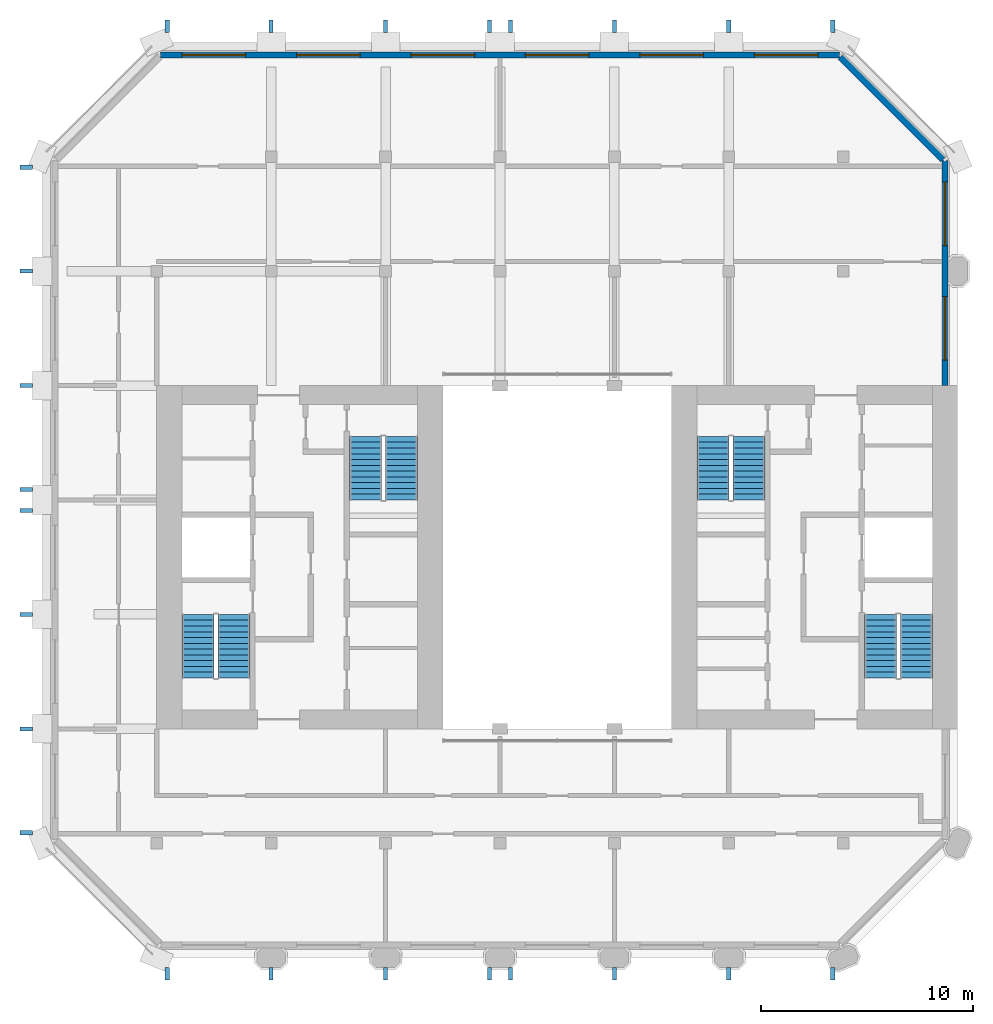
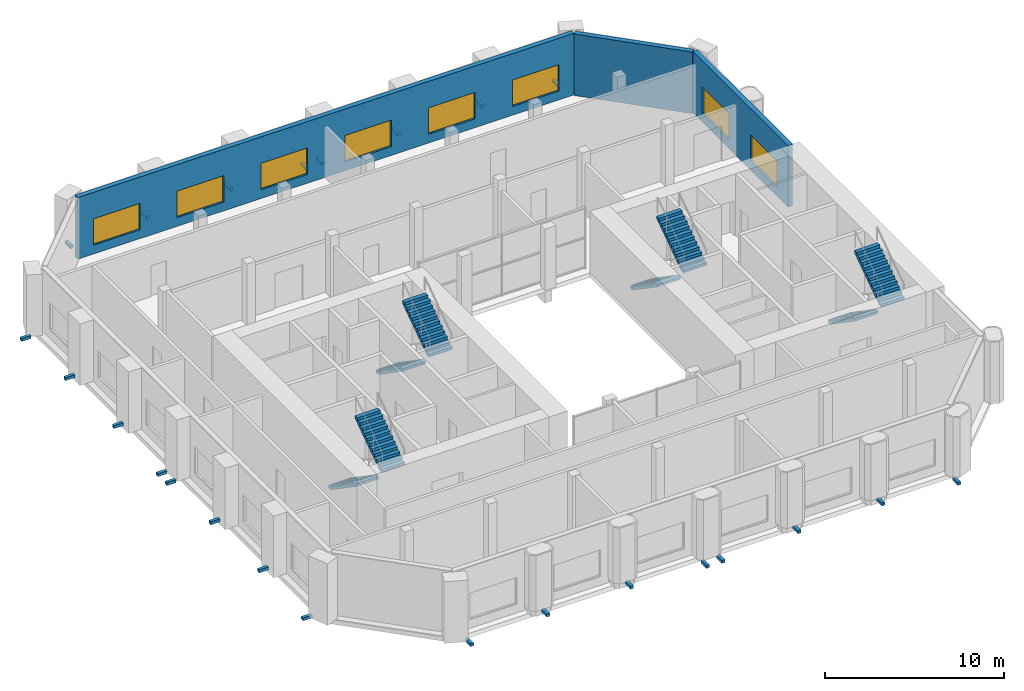
# One storey, part 9 of 11: 24 discrete accessories, 8 stair flights, 8 windows, 3 walls, 8 openings, 4 elements without a shape of their own.
"""IFC4 building model written with IfcOpenShell, lengths in metres."""

from ifc_helpers import new_model, si_unit, direction, frame, frame_2d, origin, origin_2d, place, context, subcontext, project, spatial, polyline, rectangle, outline, extrude, material, layer, layer_set, type_object, element, fill, aggregate, save


model = new_model("IFC4")

# Units and contexts
model_context = context("Model", 3, precision=1e-05, world=origin(), true_north=direction((0.0, 1.0)))
body_context = subcontext(model_context, "Body", "Model", "MODEL_VIEW")
ifc_project = project(units=[si_unit("LENGTHUNIT", "METRE"), si_unit("AREAUNIT", "SQUARE_METRE"), si_unit("VOLUMEUNIT", "CUBIC_METRE"), si_unit("PLANEANGLEUNIT", "RADIAN"), si_unit("MASSUNIT", "GRAM", prefix="KILO")], contexts=[model_context])

# Site, building, storey
site_placement = place(None, origin())
site = spatial("IfcSite", under=ifc_project, at=site_placement, CompositionType="ELEMENT")
building_placement = place(site_placement, origin())
building = spatial("IfcBuilding", under=site, at=building_placement, Name="Tabaq Tower and Sports Hall", CompositionType="ELEMENT")
storey_placement = place(building_placement, frame((0.0, 0.0, 312.699951171875)))
storey = spatial("IfcBuildingStorey", under=building, at=storey_placement, Name="L78", CompositionType="ELEMENT", Elevation=312.699951171875)

# Wall, openings, windows
ifc_material_1 = material(Name="White precast concrete C60/75", Category="concrete")
ifc_layer = layer(ifc_material_1, 0.300048828125)
ifc_layer_set = layer_set([ifc_layer], Name="White precast concrete C60/75 external wall 300")
wall_type = type_object("IfcWallType", Name="White precast concrete C60/75 external wall 300", PredefinedType="SOLIDWALL", material=ifc_layer_set)
wall_1_placement = place(storey_placement, frame((42.60009765625, 32.39990234375, 0.0), z_axis=(0.0, 0.0, 1.0), x_axis=(0.0, 1.0, 0.0)))
wall_1 = element("IfcWall", 1, at=wall_1_placement, inside=storey, type_object=wall_type, Name="External Wall L78 E", PredefinedType="SOLIDWALL", context=body_context, shape_type="SweptSolid", body=[
    extrude(outline(polyline([(0.0, 0.0), (10.61376953125, 0.0), (10.613525390625, 4.199951171875), (10.02392578125, 4.199951171875), (9.434326171875, 4.199951171875), (8.8447265625, 4.199951171875), (8.255126953125, 4.199951171875), (7.665283203125, 4.199951171875), (7.07568359375, 4.199951171875), (6.486083984375, 4.199951171875), (5.896484375, 4.199951171875), (5.306884765625, 4.199951171875), (4.717041015625, 4.199951171875), (4.12744140625, 4.199951171875), (3.537841796875, 4.199951171875), (2.9482421875, 4.199951171875), (2.358642578125, 4.199951171875), (1.76904296875, 4.199951171875), (1.17919921875, 4.199951171875), (0.589599609375, 4.199951171875), (0.0, 4.199951171875), (0.0, 0.0)])), frame((0.0, 0.14990234375, 0.0), z_axis=(0.0, -1.0, 0.0), x_axis=(1.0, 0.0, 0.0)), (0.0, 0.0, 1.0), 0.300048828125),
])
opening_1_placement = place(wall_1_placement, frame((1.199951171875, 0.0, 0.60009765625)))
opening_1 = element("IfcOpeningElement", 2, at=opening_1_placement, cuts=wall_1, Name="Opening LV1", PredefinedType="OPENING", context=body_context, shape_type="SweptSolid", body=[
    extrude(rectangle(XDim=3.0, YDim=1.800048828125, at=frame_2d((1.5, 0.89990234375))), frame((0.0, 0.16015625, 0.0), z_axis=(0.0, -1.0, 0.0), x_axis=(1.0, 0.0, 0.0)), (0.0, 0.0, 1.0), 0.320068359375),
])
opening_2_placement = place(wall_1_placement, frame((6.60009765625, 0.0, 0.60009765625)))
opening_2 = element("IfcOpeningElement", 3, at=opening_2_placement, cuts=wall_1, Name="Opening LV1", PredefinedType="OPENING", context=body_context, shape_type="SweptSolid", body=[
    extrude(rectangle(XDim=3.0, YDim=1.800048828125, at=frame_2d((1.5, 0.89990234375))), frame((0.0, 0.16015625, 0.0), z_axis=(0.0, -1.0, 0.0), x_axis=(1.0, 0.0, 0.0)), (0.0, 0.0, 1.0), 0.320068359375),
])
ifc_material_2 = material(Name="Aluminium alloy 6063-T6 louvre blades", Category="aluminium")
window_type = type_object("IfcWindowType", Name="Plant louvre LV1", PartitioningType="SINGLE_PANEL", PredefinedType="WINDOW", material=ifc_material_2)
window_1_placement = place(opening_1_placement, origin())
window_1 = element("IfcWindow", 4, at=window_1_placement, inside=storey, type_object=window_type, Name="Plant louvre L78", OverallHeight=1.800048828125, OverallWidth=3.0, PartitioningType="SINGLE_PANEL", PredefinedType="WINDOW", context=body_context, shape_type="SweptSolid", body=[
    extrude(rectangle(XDim=3.0, YDim=1.800048828125, at=frame_2d((1.5, 0.89990234375))), frame((0.0, 0.030029296875, 0.0), z_axis=(0.0, -1.0, 0.0), x_axis=(1.0, 0.0, 0.0)), (0.0, 0.0, 1.0), 0.06005859375),
])
fill(opening_1, window_1)
window_2_placement = place(opening_2_placement, origin())
window_2 = element("IfcWindow", 5, at=window_2_placement, inside=storey, type_object=window_type, Name="Plant louvre L78", OverallHeight=1.800048828125, OverallWidth=3.0, PartitioningType="SINGLE_PANEL", PredefinedType="WINDOW", context=body_context, shape_type="SweptSolid", body=[
    extrude(rectangle(XDim=3.0, YDim=1.800048828125, at=frame_2d((1.5, 0.89990234375))), frame((0.0, 0.030029296875, 0.0), z_axis=(0.0, -1.0, 0.0), x_axis=(1.0, 0.0, 0.0)), (0.0, 0.0, 1.0), 0.06005859375),
])
fill(opening_2, window_2)

# Wall
wall_2_placement = place(storey_placement, frame((42.5009765625, 43.050537109375, 0.0), z_axis=(0.0, 0.0, 1.0), x_axis=(-0.707106781187, 0.707106781187, 0.0)))
element("IfcWall", 6, at=wall_2_placement, inside=storey, type_object=wall_type, Name="External Wall L78 NE", PredefinedType="SOLIDWALL", context=body_context, shape_type="SweptSolid", body=[
    extrude(outline(polyline([(0.0, 0.0), (6.85986328125, 0.0), (6.859619140625, 4.199951171875), (6.2880859375, 4.199951171875), (5.71630859375, 4.199951171875), (5.144775390625, 4.199951171875), (4.5732421875, 4.199951171875), (4.00146484375, 4.199951171875), (3.429931640625, 4.199951171875), (2.858154296875, 4.199951171875), (2.28662109375, 4.199951171875), (1.71484375, 4.199951171875), (1.143310546875, 4.199951171875), (0.571533203125, 4.199951171875), (0.0, 4.199951171875), (0.0, 0.0)])), frame((0.0, 0.14990234375, 0.0), z_axis=(0.0, -1.0, 0.0), x_axis=(1.0, 0.0, 0.0)), (0.0, 0.0, 1.0), 0.300048828125),
])

# Wall, openings, windows
wall_3_placement = place(storey_placement, frame((37.613525390625, 48.0, 0.0), z_axis=(0.0, 0.0, 1.0), x_axis=(-1.0, 0.0, 0.0)))
wall_3 = element("IfcWall", 7, at=wall_3_placement, inside=storey, type_object=wall_type, Name="External Wall L78 N", PredefinedType="SOLIDWALL", context=body_context, shape_type="SweptSolid", body=[
    extrude(outline(polyline([(0.0, 0.0), (32.027099609375, 0.0), (32.027099609375, 4.199951171875), (31.43408203125, 4.199951171875), (30.841064453125, 4.199951171875), (30.247802734375, 4.199951171875), (29.65478515625, 4.199951171875), (29.061767578125, 4.199951171875), (28.46875, 4.199951171875), (27.87548828125, 4.199951171875), (27.282470703125, 4.199951171875), (26.689453125, 4.199951171875), (26.09619140625, 4.199951171875), (25.503173828125, 4.199951171875), (24.91015625, 4.199951171875), (24.31689453125, 4.199951171875), (23.723876953125, 4.199951171875), (23.130859375, 4.199951171875), (22.53759765625, 4.199951171875), (21.944580078125, 4.199951171875), (21.3515625, 4.199951171875), (20.75830078125, 4.199951171875), (20.165283203125, 4.199951171875), (19.572265625, 4.199951171875), (18.97900390625, 4.199951171875), (18.385986328125, 4.199951171875), (17.79296875, 4.199951171875), (17.19970703125, 4.199951171875), (16.606689453125, 4.199951171875), (16.013671875, 4.199951171875), (15.42041015625, 4.199951171875), (14.827392578125, 4.199951171875), (14.234375, 4.199951171875), (13.64111328125, 4.199951171875), (13.048095703125, 4.199951171875), (12.455078125, 4.199951171875), (11.86181640625, 4.199951171875), (11.268798828125, 4.199951171875), (10.67578125, 4.199951171875), (10.08251953125, 4.199951171875), (9.489501953125, 4.199951171875), (8.896484375, 4.199951171875), (8.303466796875, 4.199951171875), (7.710205078125, 4.199951171875), (7.1171875, 4.199951171875), (6.524169921875, 4.199951171875), (5.930908203125, 4.199951171875), (5.337890625, 4.199951171875), (4.744873046875, 4.199951171875), (4.151611328125, 4.199951171875), (3.55859375, 4.199951171875), (2.965576171875, 4.199951171875), (2.372314453125, 4.199951171875), (1.779296875, 4.199951171875), (1.186279296875, 4.199951171875), (0.593017578125, 4.199951171875), (0.0, 4.199951171875), (0.0, 0.0)])), frame((0.0, 0.14990234375, 0.0), z_axis=(0.0, -1.0, 0.0), x_axis=(1.0, 0.0, 0.0)), (0.0, 0.0, 1.0), 0.300048828125),
])
opening_3_placement = place(wall_3_placement, frame((1.013671875, 0.0, 0.60009765625)))
opening_3 = element("IfcOpeningElement", 8, at=opening_3_placement, cuts=wall_3, Name="Opening LV1", PredefinedType="OPENING", context=body_context, shape_type="SweptSolid", body=[
    extrude(rectangle(XDim=3.0, YDim=1.800048828125, at=frame_2d((1.5, 0.89990234375))), frame((0.0, 0.16015625, 0.0), z_axis=(0.0, -1.0, 0.0), x_axis=(1.0, 0.0, 0.0)), (0.0, 0.0, 1.0), 0.320068359375),
])
opening_4_placement = place(wall_3_placement, frame((6.41357421875, 0.0, 0.60009765625)))
opening_4 = element("IfcOpeningElement", 9, at=opening_4_placement, cuts=wall_3, Name="Opening LV1", PredefinedType="OPENING", context=body_context, shape_type="SweptSolid", body=[
    extrude(rectangle(XDim=3.0, YDim=1.800048828125, at=frame_2d((1.5, 0.89990234375))), frame((0.0, 0.16015625, 0.0), z_axis=(0.0, -1.0, 0.0), x_axis=(1.0, 0.0, 0.0)), (0.0, 0.0, 1.0), 0.320068359375),
])
opening_5_placement = place(wall_3_placement, frame((11.813720703125, 0.0, 0.60009765625)))
opening_5 = element("IfcOpeningElement", 10, at=opening_5_placement, cuts=wall_3, Name="Opening LV1", PredefinedType="OPENING", context=body_context, shape_type="SweptSolid", body=[
    extrude(rectangle(XDim=3.0, YDim=1.800048828125, at=frame_2d((1.5, 0.89990234375))), frame((0.0, 0.16015625, 0.0), z_axis=(0.0, -1.0, 0.0), x_axis=(1.0, 0.0, 0.0)), (0.0, 0.0, 1.0), 0.320068359375),
])
opening_6_placement = place(wall_3_placement, frame((17.213623046875, 0.0, 0.60009765625)))
opening_6 = element("IfcOpeningElement", 11, at=opening_6_placement, cuts=wall_3, Name="Opening LV1", PredefinedType="OPENING", context=body_context, shape_type="SweptSolid", body=[
    extrude(rectangle(XDim=3.0, YDim=1.800048828125, at=frame_2d((1.5, 0.89990234375))), frame((0.0, 0.16015625, 0.0), z_axis=(0.0, -1.0, 0.0), x_axis=(1.0, 0.0, 0.0)), (0.0, 0.0, 1.0), 0.320068359375),
])
opening_7_placement = place(wall_3_placement, frame((22.613525390625, 0.0, 0.60009765625)))
opening_7 = element("IfcOpeningElement", 12, at=opening_7_placement, cuts=wall_3, Name="Opening LV1", PredefinedType="OPENING", context=body_context, shape_type="SweptSolid", body=[
    extrude(rectangle(XDim=3.0, YDim=1.800048828125, at=frame_2d((1.5, 0.89990234375))), frame((0.0, 0.16015625, 0.0), z_axis=(0.0, -1.0, 0.0), x_axis=(1.0, 0.0, 0.0)), (0.0, 0.0, 1.0), 0.320068359375),
])
opening_8_placement = place(wall_3_placement, frame((28.013671875, 0.0, 0.60009765625)))
opening_8 = element("IfcOpeningElement", 13, at=opening_8_placement, cuts=wall_3, Name="Opening LV1", PredefinedType="OPENING", context=body_context, shape_type="SweptSolid", body=[
    extrude(rectangle(XDim=3.0, YDim=1.800048828125, at=frame_2d((1.5, 0.89990234375))), frame((0.0, 0.16015625, 0.0), z_axis=(0.0, -1.0, 0.0), x_axis=(1.0, 0.0, 0.0)), (0.0, 0.0, 1.0), 0.320068359375),
])
window_3_placement = place(opening_3_placement, origin())
window_3 = element("IfcWindow", 14, at=window_3_placement, inside=storey, type_object=window_type, Name="Plant louvre L78", OverallHeight=1.800048828125, OverallWidth=3.0, PartitioningType="SINGLE_PANEL", PredefinedType="WINDOW", context=body_context, shape_type="SweptSolid", body=[
    extrude(rectangle(XDim=3.0, YDim=1.800048828125, at=frame_2d((1.5, 0.89990234375))), frame((0.0, 0.030029296875, 0.0), z_axis=(0.0, -1.0, 0.0), x_axis=(1.0, 0.0, 0.0)), (0.0, 0.0, 1.0), 0.06005859375),
])
fill(opening_3, window_3)
window_4_placement = place(opening_4_placement, origin())
window_4 = element("IfcWindow", 15, at=window_4_placement, inside=storey, type_object=window_type, Name="Plant louvre L78", OverallHeight=1.800048828125, OverallWidth=3.0, PartitioningType="SINGLE_PANEL", PredefinedType="WINDOW", context=body_context, shape_type="SweptSolid", body=[
    extrude(rectangle(XDim=3.0, YDim=1.800048828125, at=frame_2d((1.5, 0.89990234375))), frame((0.0, 0.030029296875, 0.0), z_axis=(0.0, -1.0, 0.0), x_axis=(1.0, 0.0, 0.0)), (0.0, 0.0, 1.0), 0.06005859375),
])
fill(opening_4, window_4)
window_5_placement = place(opening_5_placement, origin())
window_5 = element("IfcWindow", 16, at=window_5_placement, inside=storey, type_object=window_type, Name="Plant louvre L78", OverallHeight=1.800048828125, OverallWidth=3.0, PartitioningType="SINGLE_PANEL", PredefinedType="WINDOW", context=body_context, shape_type="SweptSolid", body=[
    extrude(rectangle(XDim=3.0, YDim=1.800048828125, at=frame_2d((1.5, 0.89990234375))), frame((0.0, 0.030029296875, 0.0), z_axis=(0.0, -1.0, 0.0), x_axis=(1.0, 0.0, 0.0)), (0.0, 0.0, 1.0), 0.06005859375),
])
fill(opening_5, window_5)
window_6_placement = place(opening_6_placement, origin())
window_6 = element("IfcWindow", 17, at=window_6_placement, inside=storey, type_object=window_type, Name="Plant louvre L78", OverallHeight=1.800048828125, OverallWidth=3.0, PartitioningType="SINGLE_PANEL", PredefinedType="WINDOW", context=body_context, shape_type="SweptSolid", body=[
    extrude(rectangle(XDim=3.0, YDim=1.800048828125, at=frame_2d((1.5, 0.89990234375))), frame((0.0, 0.030029296875, 0.0), z_axis=(0.0, -1.0, 0.0), x_axis=(1.0, 0.0, 0.0)), (0.0, 0.0, 1.0), 0.06005859375),
])
fill(opening_6, window_6)
window_7_placement = place(opening_7_placement, origin())
window_7 = element("IfcWindow", 18, at=window_7_placement, inside=storey, type_object=window_type, Name="Plant louvre L78", OverallHeight=1.800048828125, OverallWidth=3.0, PartitioningType="SINGLE_PANEL", PredefinedType="WINDOW", context=body_context, shape_type="SweptSolid", body=[
    extrude(rectangle(XDim=3.0, YDim=1.800048828125, at=frame_2d((1.5, 0.89990234375))), frame((0.0, 0.030029296875, 0.0), z_axis=(0.0, -1.0, 0.0), x_axis=(1.0, 0.0, 0.0)), (0.0, 0.0, 1.0), 0.06005859375),
])
fill(opening_7, window_7)
window_8_placement = place(opening_8_placement, origin())
window_8 = element("IfcWindow", 19, at=window_8_placement, inside=storey, type_object=window_type, Name="Plant louvre L78", OverallHeight=1.800048828125, OverallWidth=3.0, PartitioningType="SINGLE_PANEL", PredefinedType="WINDOW", context=body_context, shape_type="SweptSolid", body=[
    extrude(rectangle(XDim=3.0, YDim=1.800048828125, at=frame_2d((1.5, 0.89990234375))), frame((0.0, 0.030029296875, 0.0), z_axis=(0.0, -1.0, 0.0), x_axis=(1.0, 0.0, 0.0)), (0.0, 0.0, 1.0), 0.06005859375),
])
fill(opening_8, window_8)

# Stair, stair flights
ifc_material_3 = material(Name="Concrete C40/50", Category="concrete")
stair_type = type_object("IfcStairType", Name="Exit stair", PredefinedType="HALF_TURN_STAIR", material=ifc_material_3)
stair_1_placement = place(storey_placement, origin())
stair_1 = element("IfcStair", 20, at=stair_1_placement, inside=storey, type_object=stair_type, Name="L78 Exit stair ST1", PredefinedType="HALF_TURN_STAIR")
ifc_material_4 = material(Name="Concrete C40/50", Category="concrete")
stair_flight_type = type_object("IfcStairFlightType", Name="Exit stair flight", PredefinedType="STRAIGHT", material=ifc_material_4)
stair_flight_1_placement = place(storey_placement, frame((7.35009765625, 21.60009765625, 0.0), z_axis=(0.0, 0.0, 1.0), x_axis=(0.0, -1.0, 0.0)))
stair_flight_1 = element("IfcStairFlight", 21, at=stair_flight_1_placement, type_object=stair_flight_type, Name="ST1 flight 1", NumberOfRisers=12, NumberOfTreads=11, PredefinedType="STRAIGHT", RiserHeight=0.1875, TreadLength=0.272727273, context=body_context, shape_type="SweptSolid", body=[
    extrude(outline(polyline([(0.0, 0.0), (0.0, 0.1875), (0.272705078125, 0.1875), (0.272705078125, 0.375), (0.54541015625, 0.375), (0.54541015625, 0.5625), (0.818115234375, 0.5625), (0.818115234375, 0.75), (1.0908203125, 0.75), (1.0908203125, 0.9375), (1.363525390625, 0.9375), (1.363525390625, 1.125), (1.636474609375, 1.125), (1.636474609375, 1.3125), (1.9091796875, 1.3125), (1.9091796875, 1.5), (2.181884765625, 1.5), (2.181884765625, 1.6875), (2.45458984375, 1.6875), (2.45458984375, 1.875), (2.727294921875, 1.875), (2.727294921875, 2.0625), (3.0, 2.0625), (3.0, 2.25), (3.0, 1.880615234375), (0.2646484375, 0.0), (0.0, 0.0)])), frame((0.0, 0.75, 0.0), z_axis=(0.0, -1.0, 0.0), x_axis=(1.0, 0.0, 0.0)), (0.0, 0.0, 1.0), 1.5),
])
stair_flight_2_placement = place(storey_placement, frame((9.050048828125, 18.60009765625, 2.25), z_axis=(0.0, 0.0, 1.0), x_axis=(0.0, 1.0, 0.0)))
stair_flight_2 = element("IfcStairFlight", 22, at=stair_flight_2_placement, type_object=stair_flight_type, Name="ST1 flight 2", NumberOfRisers=12, NumberOfTreads=11, PredefinedType="STRAIGHT", RiserHeight=0.1875, TreadLength=0.272727273, context=body_context, shape_type="SweptSolid", body=[
    extrude(outline(polyline([(0.0, 0.0), (0.0, 0.1875), (0.272705078125, 0.1875), (0.272705078125, 0.375), (0.54541015625, 0.375), (0.54541015625, 0.5625), (0.818115234375, 0.5625), (0.818115234375, 0.75), (1.0908203125, 0.75), (1.0908203125, 0.9375), (1.363525390625, 0.9375), (1.363525390625, 1.125), (1.636474609375, 1.125), (1.636474609375, 1.3125), (1.9091796875, 1.3125), (1.9091796875, 1.5), (2.181884765625, 1.5), (2.181884765625, 1.6875), (2.45458984375, 1.6875), (2.45458984375, 1.875), (2.727294921875, 1.875), (2.727294921875, 2.0625), (3.0, 2.0625), (3.0, 2.25), (3.0, 1.880615234375), (0.2646484375, 0.0), (0.0, 0.0)])), frame((0.0, 0.75, 0.0), z_axis=(0.0, -1.0, 0.0), x_axis=(1.0, 0.0, 0.0)), (0.0, 0.0, 1.0), 1.5),
])
aggregate(stair_1, [stair_flight_1, stair_flight_2])

stair_2_placement = place(storey_placement, origin())
stair_2 = element("IfcStair", 23, at=stair_2_placement, inside=storey, type_object=stair_type, Name="L78 Exit stair ST2", PredefinedType="HALF_TURN_STAIR")
stair_flight_3_placement = place(storey_placement, frame((15.25, 30.0, 0.0), z_axis=(0.0, 0.0, 1.0), x_axis=(0.0, -1.0, 0.0)))
stair_flight_3 = element("IfcStairFlight", 24, at=stair_flight_3_placement, type_object=stair_flight_type, Name="ST2 flight 1", NumberOfRisers=12, NumberOfTreads=11, PredefinedType="STRAIGHT", RiserHeight=0.1875, TreadLength=0.272727273, context=body_context, shape_type="SweptSolid", body=[
    extrude(outline(polyline([(0.0, 0.0), (0.0, 0.1875), (0.272705078125, 0.1875), (0.272705078125, 0.375), (0.54541015625, 0.375), (0.54541015625, 0.5625), (0.818115234375, 0.5625), (0.818115234375, 0.75), (1.0908203125, 0.75), (1.0908203125, 0.9375), (1.363525390625, 0.9375), (1.363525390625, 1.125), (1.636474609375, 1.125), (1.636474609375, 1.3125), (1.9091796875, 1.3125), (1.9091796875, 1.5), (2.181884765625, 1.5), (2.181884765625, 1.6875), (2.45458984375, 1.6875), (2.45458984375, 1.875), (2.727294921875, 1.875), (2.727294921875, 2.0625), (3.0, 2.0625), (3.0, 2.25), (3.0, 1.880615234375), (0.2646484375, 0.0), (0.0, 0.0)])), frame((0.0, 0.75, 0.0), z_axis=(0.0, -1.0, 0.0), x_axis=(1.0, 0.0, 0.0)), (0.0, 0.0, 1.0), 1.5),
])
stair_flight_4_placement = place(storey_placement, frame((16.949951171875, 27.0, 2.25), z_axis=(0.0, 0.0, 1.0), x_axis=(0.0, 1.0, 0.0)))
stair_flight_4 = element("IfcStairFlight", 25, at=stair_flight_4_placement, type_object=stair_flight_type, Name="ST2 flight 2", NumberOfRisers=12, NumberOfTreads=11, PredefinedType="STRAIGHT", RiserHeight=0.1875, TreadLength=0.272727273, context=body_context, shape_type="SweptSolid", body=[
    extrude(outline(polyline([(0.0, 0.0), (0.0, 0.1875), (0.272705078125, 0.1875), (0.272705078125, 0.375), (0.54541015625, 0.375), (0.54541015625, 0.5625), (0.818115234375, 0.5625), (0.818115234375, 0.75), (1.0908203125, 0.75), (1.0908203125, 0.9375), (1.363525390625, 0.9375), (1.363525390625, 1.125), (1.636474609375, 1.125), (1.636474609375, 1.3125), (1.9091796875, 1.3125), (1.9091796875, 1.5), (2.181884765625, 1.5), (2.181884765625, 1.6875), (2.45458984375, 1.6875), (2.45458984375, 1.875), (2.727294921875, 1.875), (2.727294921875, 2.0625), (3.0, 2.0625), (3.0, 2.25), (3.0, 1.880615234375), (0.2646484375, 0.0), (0.0, 0.0)])), frame((0.0, 0.75, 0.0), z_axis=(0.0, -1.0, 0.0), x_axis=(1.0, 0.0, 0.0)), (0.0, 0.0, 1.0), 1.5),
])
aggregate(stair_2, [stair_flight_3, stair_flight_4])

stair_3_placement = place(storey_placement, origin())
stair_3 = element("IfcStair", 26, at=stair_3_placement, inside=storey, type_object=stair_type, Name="L78 Exit stair ST3", PredefinedType="HALF_TURN_STAIR")
stair_flight_5_placement = place(storey_placement, frame((39.550048828125, 21.60009765625, 0.0), z_axis=(0.0, 0.0, 1.0), x_axis=(0.0, -1.0, 0.0)))
stair_flight_5 = element("IfcStairFlight", 27, at=stair_flight_5_placement, type_object=stair_flight_type, Name="ST3 flight 1", NumberOfRisers=12, NumberOfTreads=11, PredefinedType="STRAIGHT", RiserHeight=0.1875, TreadLength=0.272727273, context=body_context, shape_type="SweptSolid", body=[
    extrude(outline(polyline([(0.0, 0.0), (0.0, 0.1875), (0.272705078125, 0.1875), (0.272705078125, 0.375), (0.54541015625, 0.375), (0.54541015625, 0.5625), (0.818115234375, 0.5625), (0.818115234375, 0.75), (1.0908203125, 0.75), (1.0908203125, 0.9375), (1.363525390625, 0.9375), (1.363525390625, 1.125), (1.636474609375, 1.125), (1.636474609375, 1.3125), (1.9091796875, 1.3125), (1.9091796875, 1.5), (2.181884765625, 1.5), (2.181884765625, 1.6875), (2.45458984375, 1.6875), (2.45458984375, 1.875), (2.727294921875, 1.875), (2.727294921875, 2.0625), (3.0, 2.0625), (3.0, 2.25), (3.0, 1.880615234375), (0.2646484375, 0.0), (0.0, 0.0)])), frame((0.0, 0.75, 0.0), z_axis=(0.0, -1.0, 0.0), x_axis=(1.0, 0.0, 0.0)), (0.0, 0.0, 1.0), 1.5),
])
stair_flight_6_placement = place(storey_placement, frame((41.25, 18.60009765625, 2.25), z_axis=(0.0, 0.0, 1.0), x_axis=(0.0, 1.0, 0.0)))
stair_flight_6 = element("IfcStairFlight", 28, at=stair_flight_6_placement, type_object=stair_flight_type, Name="ST3 flight 2", NumberOfRisers=12, NumberOfTreads=11, PredefinedType="STRAIGHT", RiserHeight=0.1875, TreadLength=0.272727273, context=body_context, shape_type="SweptSolid", body=[
    extrude(outline(polyline([(0.0, 0.0), (0.0, 0.1875), (0.272705078125, 0.1875), (0.272705078125, 0.375), (0.54541015625, 0.375), (0.54541015625, 0.5625), (0.818115234375, 0.5625), (0.818115234375, 0.75), (1.0908203125, 0.75), (1.0908203125, 0.9375), (1.363525390625, 0.9375), (1.363525390625, 1.125), (1.636474609375, 1.125), (1.636474609375, 1.3125), (1.9091796875, 1.3125), (1.9091796875, 1.5), (2.181884765625, 1.5), (2.181884765625, 1.6875), (2.45458984375, 1.6875), (2.45458984375, 1.875), (2.727294921875, 1.875), (2.727294921875, 2.0625), (3.0, 2.0625), (3.0, 2.25), (3.0, 1.880615234375), (0.2646484375, 0.0), (0.0, 0.0)])), frame((0.0, 0.75, 0.0), z_axis=(0.0, -1.0, 0.0), x_axis=(1.0, 0.0, 0.0)), (0.0, 0.0, 1.0), 1.5),
])
aggregate(stair_3, [stair_flight_5, stair_flight_6])

stair_4_placement = place(storey_placement, origin())
stair_4 = element("IfcStair", 29, at=stair_4_placement, inside=storey, type_object=stair_type, Name="L78 Exit stair ST4", PredefinedType="HALF_TURN_STAIR")
stair_flight_7_placement = place(storey_placement, frame((31.64990234375, 30.0, 0.0), z_axis=(0.0, 0.0, 1.0), x_axis=(0.0, -1.0, 0.0)))
stair_flight_7 = element("IfcStairFlight", 30, at=stair_flight_7_placement, type_object=stair_flight_type, Name="ST4 flight 1", NumberOfRisers=12, NumberOfTreads=11, PredefinedType="STRAIGHT", RiserHeight=0.1875, TreadLength=0.272727273, context=body_context, shape_type="SweptSolid", body=[
    extrude(outline(polyline([(0.0, 0.0), (0.0, 0.1875), (0.272705078125, 0.1875), (0.272705078125, 0.375), (0.54541015625, 0.375), (0.54541015625, 0.5625), (0.818115234375, 0.5625), (0.818115234375, 0.75), (1.0908203125, 0.75), (1.0908203125, 0.9375), (1.363525390625, 0.9375), (1.363525390625, 1.125), (1.636474609375, 1.125), (1.636474609375, 1.3125), (1.9091796875, 1.3125), (1.9091796875, 1.5), (2.181884765625, 1.5), (2.181884765625, 1.6875), (2.45458984375, 1.6875), (2.45458984375, 1.875), (2.727294921875, 1.875), (2.727294921875, 2.0625), (3.0, 2.0625), (3.0, 2.25), (3.0, 1.880615234375), (0.2646484375, 0.0), (0.0, 0.0)])), frame((0.0, 0.75, 0.0), z_axis=(0.0, -1.0, 0.0), x_axis=(1.0, 0.0, 0.0)), (0.0, 0.0, 1.0), 1.5),
])
stair_flight_8_placement = place(storey_placement, frame((33.35009765625, 27.0, 2.25), z_axis=(0.0, 0.0, 1.0), x_axis=(0.0, 1.0, 0.0)))
stair_flight_8 = element("IfcStairFlight", 31, at=stair_flight_8_placement, type_object=stair_flight_type, Name="ST4 flight 2", NumberOfRisers=12, NumberOfTreads=11, PredefinedType="STRAIGHT", RiserHeight=0.1875, TreadLength=0.272727273, context=body_context, shape_type="SweptSolid", body=[
    extrude(outline(polyline([(0.0, 0.0), (0.0, 0.1875), (0.272705078125, 0.1875), (0.272705078125, 0.375), (0.54541015625, 0.375), (0.54541015625, 0.5625), (0.818115234375, 0.5625), (0.818115234375, 0.75), (1.0908203125, 0.75), (1.0908203125, 0.9375), (1.363525390625, 0.9375), (1.363525390625, 1.125), (1.636474609375, 1.125), (1.636474609375, 1.3125), (1.9091796875, 1.3125), (1.9091796875, 1.5), (2.181884765625, 1.5), (2.181884765625, 1.6875), (2.45458984375, 1.6875), (2.45458984375, 1.875), (2.727294921875, 1.875), (2.727294921875, 2.0625), (3.0, 2.0625), (3.0, 2.25), (3.0, 1.880615234375), (0.2646484375, 0.0), (0.0, 0.0)])), frame((0.0, 0.75, 0.0), z_axis=(0.0, -1.0, 0.0), x_axis=(1.0, 0.0, 0.0)), (0.0, 0.0, 1.0), 1.5),
])
aggregate(stair_4, [stair_flight_7, stair_flight_8])

# Discrete accessories
for number, where, z_axis, x_axis, name in (
    (32, (5.89990234375, 4.64990234375, -0.10009765625), (0.0, 0.0, 1.0), (0.0, -1.0, 0.0), "Stainless steel bracket"),
    (33, (10.800048828125, 4.64990234375, 0.2001953125), (0.0, 0.0, 1.0), (0.0, -1.0, 0.0), "Stainless steel bracket"),
    (34, (16.199951171875, 4.64990234375, 0.2001953125), (0.0, 0.0, 1.0), (0.0, -1.0, 0.0), "Stainless steel bracket"),
    (35, (21.10009765625, 4.64990234375, -0.10009765625), (0.0, 0.0, 1.0), (0.0, -1.0, 0.0), "Stainless steel bracket"),
    (36, (22.10009765625, 4.64990234375, -0.10009765625), (0.0, 0.0, 1.0), (0.0, -1.0, 0.0), "Stainless steel bracket"),
    (37, (27.0, 4.64990234375, 0.2001953125), (0.0, 0.0, 1.0), (0.0, -1.0, 0.0), "Stainless steel bracket"),
    (38, (32.39990234375, 4.64990234375, 0.2001953125), (0.0, 0.0, 1.0), (0.0, -1.0, 0.0), "Stainless steel bracket"),
    (39, (37.300048828125, 4.64990234375, -0.10009765625), (0.0, 0.0, 1.0), (0.0, -1.0, 0.0), "Stainless steel bracket"),
    (40, (37.300048828125, 49.35009765625, -0.10009765625), (0.0, 0.0, 1.0), (0.0, 1.0, 0.0), "Stainless steel bracket"),
    (41, (32.39990234375, 49.35009765625, 0.2001953125), (0.0, 0.0, 1.0), (0.0, 1.0, 0.0), "Stainless steel bracket"),
    (42, (27.0, 49.35009765625, 0.2001953125), (0.0, 0.0, 1.0), (0.0, 1.0, 0.0), "Stainless steel bracket"),
    (43, (22.10009765625, 49.35009765625, -0.10009765625), (0.0, 0.0, 1.0), (0.0, 1.0, 0.0), "Stainless steel bracket"),
    (44, (21.10009765625, 49.35009765625, -0.10009765625), (0.0, 0.0, 1.0), (0.0, 1.0, 0.0), "Stainless steel bracket"),
    (45, (16.199951171875, 49.35009765625, 0.2001953125), (0.0, 0.0, 1.0), (0.0, 1.0, 0.0), "Stainless steel bracket"),
    (46, (10.800048828125, 49.35009765625, 0.2001953125), (0.0, 0.0, 1.0), (0.0, 1.0, 0.0), "Stainless steel bracket"),
    (47, (5.89990234375, 49.35009765625, -0.10009765625), (0.0, 0.0, 1.0), (0.0, 1.0, 0.0), "Stainless steel bracket"),
    (48, (-0.75, 42.699951171875, -0.10009765625), (0.0, 0.0, 1.0), (-1.0, 0.0, 0.0), "Stainless steel bracket"),
    (49, (-0.75, 37.800048828125, 0.2001953125), (0.0, 0.0, 1.0), (-1.0, 0.0, 0.0), "Stainless steel bracket"),
    (50, (-0.75, 32.39990234375, 0.2001953125), (0.0, 0.0, 1.0), (-1.0, 0.0, 0.0), "Stainless steel bracket"),
    (51, (-0.75, 27.5, -0.10009765625), (0.0, 0.0, 1.0), (-1.0, 0.0, 0.0), "Stainless steel bracket"),
    (52, (-0.75, 26.5, -0.10009765625), (0.0, 0.0, 1.0), (-1.0, 0.0, 0.0), "Stainless steel bracket"),
    (53, (-0.75, 21.60009765625, 0.2001953125), (0.0, 0.0, 1.0), (-1.0, 0.0, 0.0), "Stainless steel bracket"),
    (54, (-0.75, 16.199951171875, 0.2001953125), (0.0, 0.0, 1.0), (-1.0, 0.0, 0.0), "Stainless steel bracket"),
    (55, (-0.75, 11.300048828125, -0.10009765625), (0.0, 0.0, 1.0), (-1.0, 0.0, 0.0), "Stainless steel bracket"),
):
    element("IfcDiscreteAccessory", number, at=place(storey_placement, frame(where, z_axis=z_axis, x_axis=x_axis)), inside=storey, Name=name, PredefinedType="BRACKET", context=body_context, shape_type="SweptSolid", body=[
        extrude(rectangle(XDim=0.60009765625, YDim=0.199951171875, at=origin_2d()), origin(), (0.0, 0.0, 1.0), 0.199951171875),
    ])

save(model, "model.ifc")
